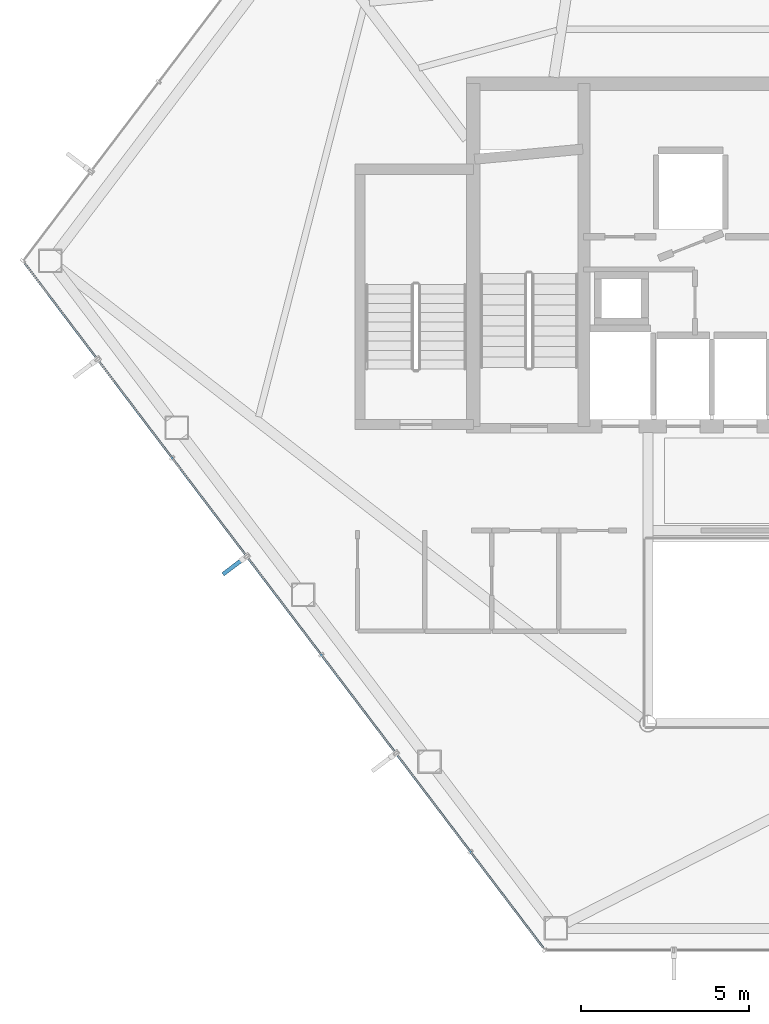
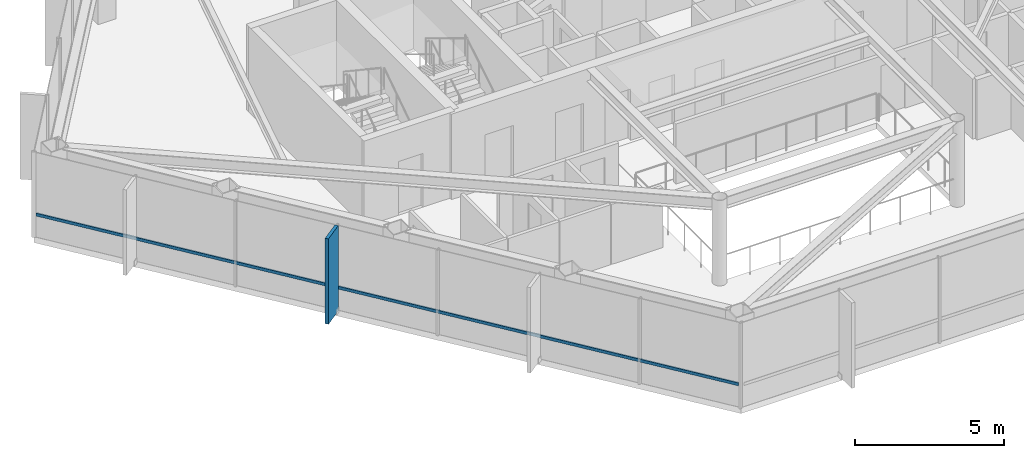
# One storey, part 3 of 28: 2 members, 1 element without a shape of its own.
"""IFC4 building model written with IfcOpenShell, lengths in metres."""

from ifc_helpers import new_model, si_unit, direction, frame, origin, origin_2d, place, context, subcontext, project, spatial, rectangle, hollow_rectangle, extrude, material, layer, layer_set, material_profile, profile_set, type_object, element, aggregate, save


model = new_model("IFC4")

# Units and contexts
model_context = context("Model", 3, precision=1e-05, world=origin(), true_north=direction((0.0, 1.0)))
body_context = subcontext(model_context, "Body", "Model", "MODEL_VIEW")
ifc_project = project(units=[si_unit("LENGTHUNIT", "METRE"), si_unit("AREAUNIT", "SQUARE_METRE"), si_unit("VOLUMEUNIT", "CUBIC_METRE"), si_unit("PLANEANGLEUNIT", "RADIAN"), si_unit("MASSUNIT", "GRAM", prefix="KILO")], contexts=[model_context])

# Site, building, storey
site_placement = place(None, origin())
site = spatial("IfcSite", under=ifc_project, at=site_placement, CompositionType="ELEMENT")
building_placement = place(site_placement, origin())
building = spatial("IfcBuilding", under=site, at=building_placement, Name="Zarrinselat Tower", CompositionType="ELEMENT")
storey_placement = place(building_placement, frame((0.0, 0.0, 164.56005859375)))
storey = spatial("IfcBuildingStorey", under=building, at=storey_placement, Name="L40", CompositionType="ELEMENT", Elevation=164.56005859375)

# Curtain wall, members
ifc_material_1 = material(Name="Extruded Aluminium Alloy EN AW-6063 T6", Category="aluminium")
ifc_layer = layer(ifc_material_1, 0.175048828125)
ifc_layer_set = layer_set([ifc_layer], Name="Extruded Aluminium Alloy EN AW-6063 T6")
curtain_wall_type = type_object("IfcCurtainWallType", Name="CWS-HTL", PredefinedType="NOTDEFINED", material=ifc_layer_set)
curtain_wall_placement = place(storey_placement, origin())
curtain_wall = element("IfcCurtainWall", 1, at=curtain_wall_placement, inside=storey, type_object=curtain_wall_type, Name="L40 Unitised Curtain Wall CW-L40-E03", PredefinedType="NOTDEFINED")
ifc_material_2 = material(Name="Extruded Aluminium Alloy EN AW-6063 T6", Category="aluminium")
ifc_material_profile_1 = material_profile(ifc_material_2, hollow_rectangle(XDim=0.06005859375, YDim=0.1201171875, WallThickness=0.00390625, at=origin_2d()), Name="RHS 120x60x4")
ifc_profile_set_1 = profile_set([ifc_material_profile_1], Name="Extruded Aluminium Alloy EN AW-6063 T6")
member_type_1 = type_object("IfcMemberType", Name="MEM-CW-TRN2", PredefinedType="USERDEFINED", material=ifc_profile_set_1)
member_1_placement = place(storey_placement, frame((15.248046875, 38.099365234375, 0.949951171875), z_axis=(0.603863940367, -0.797087411471, 0.0), x_axis=(0.797087411471, 0.603863940367, 0.0)))
member_1 = element("IfcMember", 2, at=member_1_placement, type_object=member_type_1, Name="CW-L40-E03 Transom 1", ObjectType="TRANSOM", PredefinedType="USERDEFINED", context=body_context, shape_type="SweptSolid", body=[
    extrude(hollow_rectangle(XDim=0.06005859375, YDim=0.1201171875, WallThickness=0.00390625, at=origin_2d()), origin(), (0.0, 0.0, 1.0), 25.560791015625),
])
ifc_material_3 = material(Name="Honed Cream Travertine Stone", Category="masonry")
ifc_material_profile_2 = material_profile(ifc_material_3, rectangle(XDim=0.1201171875, YDim=0.85009765625, at=origin_2d()), Name="FIN 850x120")
ifc_profile_set_2 = profile_set([ifc_material_profile_2], Name="Honed Cream Travertine Stone")
member_type_2 = type_object("IfcMemberType", Name="MEM-STONE-FIN", PredefinedType="USERDEFINED", material=ifc_profile_set_2)
member_2_placement = place(storey_placement, frame((21.48876953125, 29.10009765625, 0.0), z_axis=(0.0, 0.0, 1.0), x_axis=(-0.603857987184, 0.797091921496, 0.0)))
member_2 = element("IfcMember", 3, at=member_2_placement, type_object=member_type_2, Name="L40 Stone Shading Fin CW-L40-E03-03", ObjectType="FIN", PredefinedType="USERDEFINED", context=body_context, shape_type="SweptSolid", body=[
    extrude(rectangle(XDim=0.1201171875, YDim=0.85009765625, at=origin_2d()), origin(), (0.0, 0.0, 1.0), 3.5),
])
aggregate(curtain_wall, [member_2, member_1])

save(model, "model.ifc")
